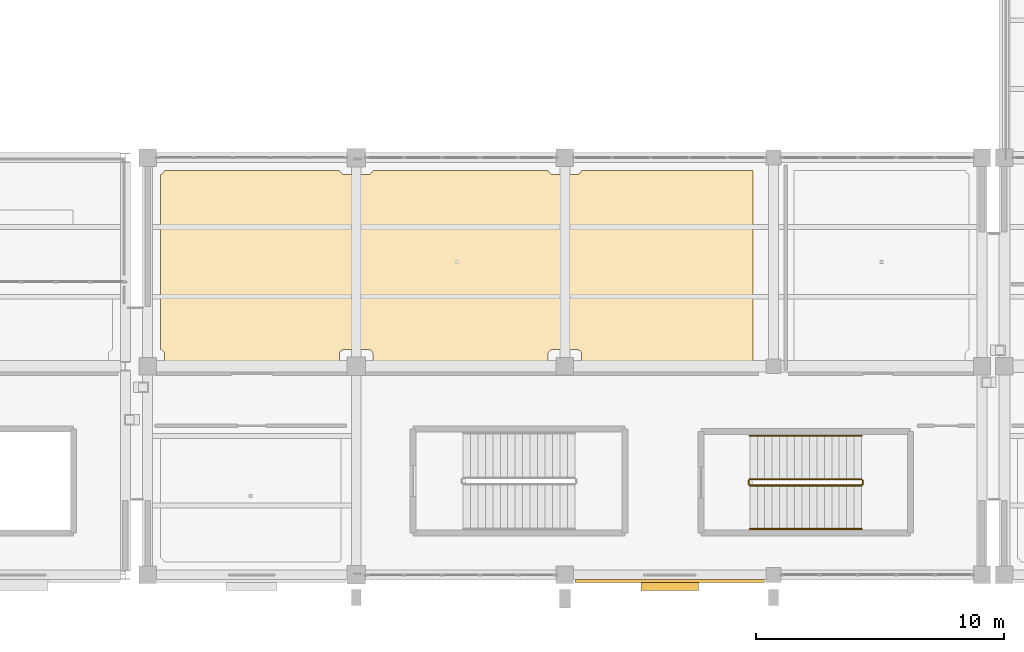
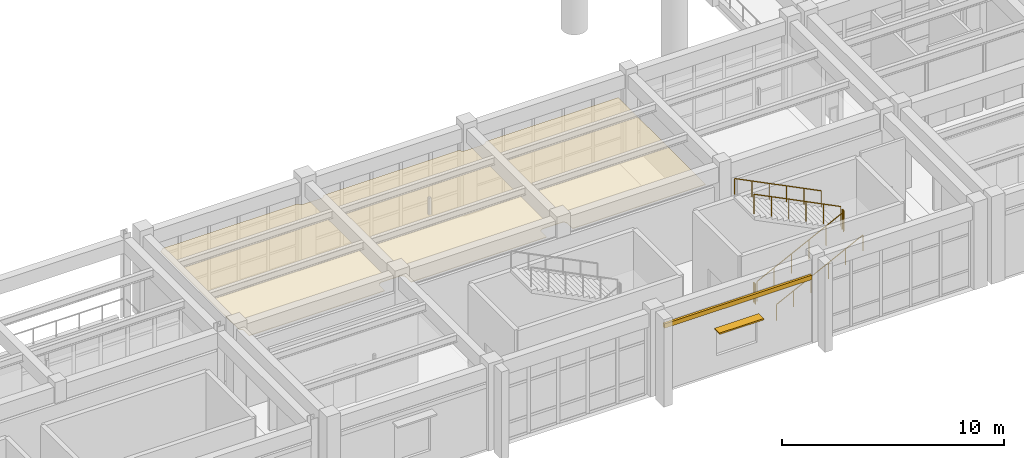
# One storey, part 88 of 98: 6 railings, 2 coverings, 1 shading device.
"""IFC4 building model written with IfcOpenShell, lengths in metres."""

from ifc_helpers import new_model, si_unit, direction, frame, origin, origin_2d, place, context, subcontext, project, spatial, polyline, rectangle, circle, outline, extrude, material, layer, layer_set, type_object, element, save


model = new_model("IFC4")

# Units and contexts
model_context = context("Model", 3, precision=1e-05, world=origin(), true_north=direction((0.0, 1.0)))
body_context = subcontext(model_context, "Body", "Model", "MODEL_VIEW")
ifc_project = project(units=[si_unit("LENGTHUNIT", "METRE"), si_unit("AREAUNIT", "SQUARE_METRE"), si_unit("VOLUMEUNIT", "CUBIC_METRE"), si_unit("PLANEANGLEUNIT", "RADIAN"), si_unit("MASSUNIT", "GRAM", prefix="KILO")], contexts=[model_context])

# Site, building, storey
site_placement = place(None, origin())
site = spatial("IfcSite", under=ifc_project, at=site_placement, CompositionType="ELEMENT")
building_placement = place(site_placement, origin())
building = spatial("IfcBuilding", under=site, at=building_placement, Name="Canglan Escarpment Cableway Terminal", CompositionType="ELEMENT")
storey_placement = place(building_placement, frame((0.0, 0.0, 9.60009765625)))
storey = spatial("IfcBuildingStorey", under=building, at=storey_placement, Name="L02", CompositionType="ELEMENT", Elevation=9.60009765625)

# Coverings
ifc_material_1 = material(Name="Moisture-resistant acoustic gypsum ceiling", Category="gypsum")
ifc_layer_1 = layer(ifc_material_1, 0.030029296875, Name="Moisture-resistant acoustic gypsum ceiling")
ifc_layer_set_1 = layer_set([ifc_layer_1], Name="Moisture-resistant acoustic gypsum ceiling")
covering_type_1 = type_object("IfcCoveringType", Name="COV-CEIL-GYPSUM-30", PredefinedType="CEILING", material=ifc_layer_set_1)
covering_1_placement = place(storey_placement, frame((0.0, 0.0, 3.56982421875)))
element("IfcCovering", 1, at=covering_1_placement, inside=storey, type_object=covering_type_1, Name="Mountain Ecology Lecture Hall suspended acoustic ceiling", PredefinedType="CEILING", context=body_context, shape_type="SweptSolid", body=[
    extrude(outline(polyline([(77.533203125, 17.067138671875), (77.531494140625, 17.06787109375), (77.52978515625, 17.06884765625), (77.5283203125, 17.06982421875), (77.52685546875, 17.071044921875), (77.525390625, 17.072265625), (77.524169921875, 17.07373046875), (77.523193359375, 17.0751953125), (77.522216796875, 17.076904296875), (77.521484375, 17.07861328125), (77.520751953125, 17.080322265625), (77.5205078125, 17.082275390625), (77.52001953125, 17.083984375), (77.52001953125, 17.0859375), (77.52001953125, 24.114013671875), (77.52001953125, 24.115966796875), (77.5205078125, 24.117919921875), (77.520751953125, 24.11962890625), (77.521484375, 24.121337890625), (77.522216796875, 24.123046875), (77.523193359375, 24.124755859375), (77.524169921875, 24.126220703125), (77.525390625, 24.127685546875), (77.52685546875, 24.12890625), (77.5283203125, 24.130126953125), (77.52978515625, 24.131103515625), (77.531494140625, 24.132080078125), (77.533203125, 24.1328125), (77.543701171875, 24.13671875), (77.544677734375, 24.136962890625), (77.563232421875, 24.145751953125), (77.564208984375, 24.146240234375), (77.581787109375, 24.15673828125), (77.58251953125, 24.157470703125), (77.59912109375, 24.169677734375), (77.599853515625, 24.17041015625), (77.615234375, 24.18408203125), (77.615966796875, 24.184814453125), (77.629638671875, 24.2001953125), (77.63037109375, 24.20068359375), (77.642578125, 24.21728515625), (77.643310546875, 24.21826171875), (77.65380859375, 24.23583984375), (77.654296875, 24.23681640625), (77.6630859375, 24.25537109375), (77.663330078125, 24.25634765625), (77.667236328125, 24.2666015625), (77.66796875, 24.2685546875), (77.668701171875, 24.270263671875), (77.669921875, 24.271728515625), (77.6708984375, 24.273193359375), (77.67236328125, 24.274658203125), (77.673583984375, 24.27587890625), (77.67529296875, 24.27685546875), (77.677001953125, 24.27783203125), (77.6787109375, 24.278564453125), (77.680419921875, 24.279296875), (77.68212890625, 24.279541015625), (77.68408203125, 24.27978515625), (77.68603515625, 24.280029296875), (84.714111328125, 24.280029296875), (84.7158203125, 24.27978515625), (84.7177734375, 24.279541015625), (84.719482421875, 24.279296875), (84.721435546875, 24.278564453125), (84.72314453125, 24.27783203125), (84.724609375, 24.27685546875), (84.726318359375, 24.27587890625), (84.727783203125, 24.274658203125), (84.72900390625, 24.273193359375), (84.730224609375, 24.271728515625), (84.731201171875, 24.270263671875), (84.732177734375, 24.2685546875), (84.73291015625, 24.2666015625), (84.736572265625, 24.25634765625), (84.737060546875, 24.25537109375), (84.745849609375, 24.23681640625), (84.74609375, 24.23583984375), (84.7568359375, 24.21826171875), (84.75732421875, 24.21728515625), (84.76953125, 24.20068359375), (84.770263671875, 24.2001953125), (84.7841796875, 24.184814453125), (84.784912109375, 24.18408203125), (84.800048828125, 24.17041015625), (84.80078125, 24.169677734375), (84.8173828125, 24.157470703125), (84.818115234375, 24.15673828125), (84.8359375, 24.146240234375), (84.836669921875, 24.145751953125), (84.85546875, 24.136962890625), (84.856201171875, 24.13671875), (84.875732421875, 24.129638671875), (84.876708984375, 24.12939453125), (84.896484375, 24.124267578125), (84.897705078125, 24.124267578125), (84.91796875, 24.12109375), (84.9189453125, 24.12109375), (84.939697265625, 24.1201171875), (84.940185546875, 24.1201171875), (85.85986328125, 24.1201171875), (85.860107421875, 24.1201171875), (85.881103515625, 24.12109375), (85.882080078125, 24.12109375), (85.90234375, 24.124267578125), (85.9033203125, 24.124267578125), (85.92333984375, 24.12939453125), (85.92431640625, 24.129638671875), (85.943603515625, 24.13671875), (85.944580078125, 24.136962890625), (85.96337890625, 24.145751953125), (85.964111328125, 24.146240234375), (85.981689453125, 24.15673828125), (85.982666015625, 24.157470703125), (85.999267578125, 24.169677734375), (86.0, 24.17041015625), (86.01513671875, 24.18408203125), (86.015869140625, 24.184814453125), (86.02978515625, 24.2001953125), (86.030517578125, 24.20068359375), (86.04248046875, 24.21728515625), (86.043212890625, 24.21826171875), (86.0537109375, 24.23583984375), (86.05419921875, 24.23681640625), (86.06298828125, 24.25537109375), (86.0634765625, 24.25634765625), (86.067138671875, 24.2666015625), (86.06787109375, 24.2685546875), (86.06884765625, 24.270263671875), (86.06982421875, 24.271728515625), (86.071044921875, 24.273193359375), (86.072265625, 24.274658203125), (86.07373046875, 24.27587890625), (86.0751953125, 24.27685546875), (86.076904296875, 24.27783203125), (86.07861328125, 24.278564453125), (86.080322265625, 24.279296875), (86.082275390625, 24.279541015625), (86.083984375, 24.27978515625), (86.0859375, 24.280029296875), (93.114013671875, 24.280029296875), (93.115966796875, 24.27978515625), (93.117919921875, 24.279541015625), (93.11962890625, 24.279296875), (93.121337890625, 24.278564453125), (93.123046875, 24.27783203125), (93.124755859375, 24.27685546875), (93.126220703125, 24.27587890625), (93.127685546875, 24.274658203125), (93.12890625, 24.273193359375), (93.130126953125, 24.271728515625), (93.131103515625, 24.270263671875), (93.132080078125, 24.2685546875), (93.1328125, 24.2666015625), (93.13671875, 24.25634765625), (93.136962890625, 24.25537109375), (93.145751953125, 24.23681640625), (93.146240234375, 24.23583984375), (93.15673828125, 24.21826171875), (93.157470703125, 24.21728515625), (93.169677734375, 24.20068359375), (93.17041015625, 24.2001953125), (93.18408203125, 24.184814453125), (93.184814453125, 24.18408203125), (93.2001953125, 24.17041015625), (93.20068359375, 24.169677734375), (93.21728515625, 24.157470703125), (93.21826171875, 24.15673828125), (93.23583984375, 24.146240234375), (93.23681640625, 24.145751953125), (93.25537109375, 24.136962890625), (93.25634765625, 24.13671875), (93.275634765625, 24.129638671875), (93.276611328125, 24.12939453125), (93.296630859375, 24.124267578125), (93.297607421875, 24.124267578125), (93.318115234375, 24.12109375), (93.31884765625, 24.12109375), (93.33984375, 24.1201171875), (93.340087890625, 24.1201171875), (94.259765625, 24.1201171875), (94.26025390625, 24.1201171875), (94.281005859375, 24.12109375), (94.281982421875, 24.12109375), (94.302490234375, 24.124267578125), (94.303466796875, 24.124267578125), (94.323486328125, 24.12939453125), (94.32421875, 24.129638671875), (94.34375, 24.13671875), (94.344482421875, 24.136962890625), (94.36328125, 24.145751953125), (94.364013671875, 24.146240234375), (94.3818359375, 24.15673828125), (94.382568359375, 24.157470703125), (94.399169921875, 24.169677734375), (94.39990234375, 24.17041015625), (94.415283203125, 24.18408203125), (94.416015625, 24.184814453125), (94.4296875, 24.2001953125), (94.430419921875, 24.20068359375), (94.442626953125, 24.21728515625), (94.443115234375, 24.21826171875), (94.453857421875, 24.23583984375), (94.4541015625, 24.23681640625), (94.462890625, 24.25537109375), (94.46337890625, 24.25634765625), (94.46728515625, 24.2666015625), (94.468017578125, 24.2685546875), (94.46875, 24.270263671875), (94.4697265625, 24.271728515625), (94.470947265625, 24.273193359375), (94.472412109375, 24.274658203125), (94.4736328125, 24.27587890625), (94.475341796875, 24.27685546875), (94.476806640625, 24.27783203125), (94.478515625, 24.278564453125), (94.48046875, 24.279296875), (94.482177734375, 24.279541015625), (94.484130859375, 24.27978515625), (94.486083984375, 24.280029296875), (101.360107421875, 24.280029296875), (101.362060546875, 24.27978515625), (101.364013671875, 24.279541015625), (101.36572265625, 24.279052734375), (101.36767578125, 24.278564453125), (101.369384765625, 24.277587890625), (101.37109375, 24.276611328125), (101.372802734375, 24.275390625), (101.3740234375, 24.274169921875), (101.37548828125, 24.272705078125), (101.376708984375, 24.27099609375), (101.377685546875, 24.269287109375), (101.37841796875, 24.267578125), (101.379150390625, 24.265869140625), (101.379638671875, 24.263916015625), (101.3798828125, 24.261962890625), (101.3798828125, 24.260009765625), (101.3798828125, 16.43994140625), (101.3798828125, 16.43798828125), (101.379638671875, 16.43603515625), (101.379150390625, 16.43408203125), (101.37841796875, 16.432373046875), (101.377685546875, 16.4306640625), (101.376708984375, 16.428955078125), (101.37548828125, 16.42724609375), (101.3740234375, 16.42578125), (101.372802734375, 16.424560546875), (101.37109375, 16.42333984375), (101.369384765625, 16.42236328125), (101.36767578125, 16.42138671875), (101.36572265625, 16.4208984375), (101.364013671875, 16.42041015625), (101.362060546875, 16.420166015625), (101.360107421875, 16.419921875), (94.5, 16.419921875), (94.498046875, 16.420166015625), (94.49609375, 16.42041015625), (94.494140625, 16.4208984375), (94.4921875, 16.42138671875), (94.490478515625, 16.42236328125), (94.489013671875, 16.42333984375), (94.4873046875, 16.424560546875), (94.48583984375, 16.42578125), (94.484619140625, 16.42724609375), (94.4833984375, 16.428955078125), (94.482421875, 16.4306640625), (94.4814453125, 16.432373046875), (94.48095703125, 16.43408203125), (94.48046875, 16.43603515625), (94.47998046875, 16.43798828125), (94.47998046875, 16.43994140625), (94.47998046875, 16.85986328125), (94.47998046875, 16.860107421875), (94.47900390625, 16.881103515625), (94.47900390625, 16.882080078125), (94.475830078125, 16.90234375), (94.4755859375, 16.9033203125), (94.470703125, 16.92333984375), (94.470458984375, 16.92431640625), (94.46337890625, 16.943603515625), (94.462890625, 16.944580078125), (94.4541015625, 16.96337890625), (94.453857421875, 16.964111328125), (94.443115234375, 16.981689453125), (94.442626953125, 16.982666015625), (94.430419921875, 16.999267578125), (94.4296875, 17.0), (94.416015625, 17.01513671875), (94.415283203125, 17.015869140625), (94.39990234375, 17.02978515625), (94.399169921875, 17.030517578125), (94.382568359375, 17.04248046875), (94.3818359375, 17.043212890625), (94.364013671875, 17.0537109375), (94.36328125, 17.05419921875), (94.344482421875, 17.06298828125), (94.34375, 17.0634765625), (94.32421875, 17.0703125), (94.323486328125, 17.070556640625), (94.303466796875, 17.07568359375), (94.302490234375, 17.07568359375), (94.281982421875, 17.078857421875), (94.281005859375, 17.0791015625), (94.26025390625, 17.080078125), (94.259765625, 17.080078125), (93.340087890625, 17.080078125), (93.33984375, 17.080078125), (93.31884765625, 17.0791015625), (93.318115234375, 17.078857421875), (93.297607421875, 17.07568359375), (93.296630859375, 17.07568359375), (93.276611328125, 17.070556640625), (93.275634765625, 17.0703125), (93.25634765625, 17.0634765625), (93.25537109375, 17.06298828125), (93.23681640625, 17.05419921875), (93.23583984375, 17.0537109375), (93.21826171875, 17.043212890625), (93.21728515625, 17.04248046875), (93.20068359375, 17.030517578125), (93.2001953125, 17.02978515625), (93.184814453125, 17.015869140625), (93.18408203125, 17.01513671875), (93.17041015625, 17.0), (93.169677734375, 16.999267578125), (93.157470703125, 16.982666015625), (93.15673828125, 16.981689453125), (93.146240234375, 16.964111328125), (93.145751953125, 16.96337890625), (93.136962890625, 16.944580078125), (93.13671875, 16.943603515625), (93.129638671875, 16.92431640625), (93.12939453125, 16.92333984375), (93.124267578125, 16.9033203125), (93.124267578125, 16.90234375), (93.12109375, 16.882080078125), (93.12109375, 16.881103515625), (93.1201171875, 16.860107421875), (93.1201171875, 16.85986328125), (93.1201171875, 16.43994140625), (93.119873046875, 16.43798828125), (93.11962890625, 16.43603515625), (93.119140625, 16.43408203125), (93.118408203125, 16.432373046875), (93.11767578125, 16.4306640625), (93.11669921875, 16.428955078125), (93.115478515625, 16.42724609375), (93.114013671875, 16.42578125), (93.11279296875, 16.424560546875), (93.111083984375, 16.42333984375), (93.109375, 16.42236328125), (93.107666015625, 16.42138671875), (93.105712890625, 16.4208984375), (93.10400390625, 16.42041015625), (93.10205078125, 16.420166015625), (93.10009765625, 16.419921875), (86.10009765625, 16.419921875), (86.097900390625, 16.420166015625), (86.09619140625, 16.42041015625), (86.09423828125, 16.4208984375), (86.09228515625, 16.42138671875), (86.090576171875, 16.42236328125), (86.0888671875, 16.42333984375), (86.08740234375, 16.424560546875), (86.0859375, 16.42578125), (86.08447265625, 16.42724609375), (86.08349609375, 16.428955078125), (86.08251953125, 16.4306640625), (86.08154296875, 16.432373046875), (86.080810546875, 16.43408203125), (86.080322265625, 16.43603515625), (86.080078125, 16.43798828125), (86.080078125, 16.43994140625), (86.080078125, 16.85986328125), (86.080078125, 16.860107421875), (86.0791015625, 16.881103515625), (86.078857421875, 16.882080078125), (86.07568359375, 16.90234375), (86.07568359375, 16.9033203125), (86.070556640625, 16.92333984375), (86.0703125, 16.92431640625), (86.0634765625, 16.943603515625), (86.06298828125, 16.944580078125), (86.05419921875, 16.96337890625), (86.0537109375, 16.964111328125), (86.043212890625, 16.981689453125), (86.04248046875, 16.982666015625), (86.030517578125, 16.999267578125), (86.02978515625, 17.0), (86.015869140625, 17.01513671875), (86.01513671875, 17.015869140625), (86.0, 17.02978515625), (85.999267578125, 17.030517578125), (85.982666015625, 17.04248046875), (85.981689453125, 17.043212890625), (85.964111328125, 17.0537109375), (85.96337890625, 17.05419921875), (85.944580078125, 17.06298828125), (85.943603515625, 17.0634765625), (85.92431640625, 17.0703125), (85.92333984375, 17.070556640625), (85.9033203125, 17.07568359375), (85.90234375, 17.07568359375), (85.882080078125, 17.078857421875), (85.881103515625, 17.0791015625), (85.860107421875, 17.080078125), (85.85986328125, 17.080078125), (84.940185546875, 17.080078125), (84.939697265625, 17.080078125), (84.9189453125, 17.0791015625), (84.91796875, 17.078857421875), (84.897705078125, 17.07568359375), (84.896484375, 17.07568359375), (84.876708984375, 17.070556640625), (84.875732421875, 17.0703125), (84.856201171875, 17.0634765625), (84.85546875, 17.06298828125), (84.836669921875, 17.05419921875), (84.8359375, 17.0537109375), (84.818115234375, 17.043212890625), (84.8173828125, 17.04248046875), (84.80078125, 17.030517578125), (84.800048828125, 17.02978515625), (84.784912109375, 17.015869140625), (84.7841796875, 17.01513671875), (84.770263671875, 17.0), (84.76953125, 16.999267578125), (84.75732421875, 16.982666015625), (84.7568359375, 16.981689453125), (84.74609375, 16.964111328125), (84.745849609375, 16.96337890625), (84.737060546875, 16.944580078125), (84.736572265625, 16.943603515625), (84.7294921875, 16.92431640625), (84.7294921875, 16.92333984375), (84.724365234375, 16.9033203125), (84.72412109375, 16.90234375), (84.72119140625, 16.882080078125), (84.720947265625, 16.881103515625), (84.719970703125, 16.860107421875), (84.719970703125, 16.85986328125), (84.719970703125, 16.43994140625), (84.719970703125, 16.43798828125), (84.719482421875, 16.43603515625), (84.718994140625, 16.43408203125), (84.718505859375, 16.432373046875), (84.717529296875, 16.4306640625), (84.716552734375, 16.428955078125), (84.715576171875, 16.42724609375), (84.714111328125, 16.42578125), (84.712646484375, 16.424560546875), (84.711181640625, 16.42333984375), (84.70947265625, 16.42236328125), (84.707763671875, 16.42138671875), (84.705810546875, 16.4208984375), (84.703857421875, 16.42041015625), (84.701904296875, 16.420166015625), (84.699951171875, 16.419921875), (77.699951171875, 16.419921875), (77.697998046875, 16.420166015625), (77.696044921875, 16.42041015625), (77.694091796875, 16.4208984375), (77.6923828125, 16.42138671875), (77.690673828125, 16.42236328125), (77.68896484375, 16.42333984375), (77.687255859375, 16.424560546875), (77.685791015625, 16.42578125), (77.6845703125, 16.42724609375), (77.683349609375, 16.428955078125), (77.682373046875, 16.4306640625), (77.681396484375, 16.432373046875), (77.680908203125, 16.43408203125), (77.680419921875, 16.43603515625), (77.68017578125, 16.43798828125), (77.679931640625, 16.43994140625), (77.679931640625, 16.85986328125), (77.679931640625, 16.860107421875), (77.678955078125, 16.881103515625), (77.678955078125, 16.882080078125), (77.67578125, 16.90234375), (77.67578125, 16.9033203125), (77.670654296875, 16.92333984375), (77.67041015625, 16.92431640625), (77.663330078125, 16.943603515625), (77.6630859375, 16.944580078125), (77.654296875, 16.96337890625), (77.65380859375, 16.964111328125), (77.643310546875, 16.981689453125), (77.642578125, 16.982666015625), (77.63037109375, 16.999267578125), (77.629638671875, 17.0), (77.615966796875, 17.01513671875), (77.615234375, 17.015869140625), (77.599853515625, 17.02978515625), (77.59912109375, 17.030517578125), (77.58251953125, 17.04248046875), (77.581787109375, 17.043212890625), (77.564208984375, 17.0537109375), (77.563232421875, 17.05419921875), (77.544677734375, 17.06298828125), (77.543701171875, 17.0634765625), (77.533203125, 17.067138671875)])), origin(), (0.0, 0.0, 1.0), 0.030029296875),
])
ifc_material_2 = material(Name="Carved classical limestone cornice", Category="masonry")
ifc_layer_2 = layer(ifc_material_2, 0.1201171875, Name="Carved classical limestone cornice")
ifc_layer_set_2 = layer_set([ifc_layer_2], Name="Carved classical limestone cornice")
covering_type_2 = type_object("IfcCoveringType", Name="COV-CORNICE-STONE", PredefinedType="CLADDING", material=ifc_layer_set_2)
covering_2_placement = place(storey_placement, frame((98.02490234375, 7.760009765625, 3.4951171875), z_axis=(0.0, 0.0, 1.0), x_axis=(1.0, 0.0, 0.0)))
element("IfcCovering", 2, at=covering_2_placement, inside=storey, type_object=covering_type_2, Name="Classical carved limestone cornice CL-01", PredefinedType="CLADDING", context=body_context, shape_type="SweptSolid", body=[
    extrude(rectangle(XDim=7.64990234375, YDim=0.1201171875, at=origin_2d()), origin(), (0.0, 0.0, 1.0), 0.239990234375),
])

# Railings
ifc_material_3 = material(Name="Powder-coated steel stair balustrade", Category="steel")
railing_type_1 = type_object("IfcRailingType", Name="RL-STR-GUARD-1100", PredefinedType="BALUSTRADE", material=ifc_material_3)
railing_1_placement = place(storey_placement, frame((101.25, 11.60009765625, 0.14990234375)))
element("IfcRailing", 3, at=railing_1_placement, inside=storey, type_object=railing_type_1, Name="L02 ST-14 stair guard 1", PredefinedType="BALUSTRADE", context=body_context, shape_type="SweptSolid", body=[
    extrude(circle(Radius=0.02392578125, at=origin_2d()), frame((0.0, 0.0, 1.076171875), z_axis=(0.894427191, 0.0, 0.4472135955), x_axis=(0.0, 1.0, 0.0)), (0.0, 0.0, 1.0), 5.03125),
    extrude(circle(Radius=0.02099609375, at=origin_2d()), origin(), (0.0, 0.0, 1.0), 1.052001953125),
    extrude(circle(Radius=0.02099609375, at=origin_2d()), frame((0.89990234375, 0.0, 0.449951171875)), (0.0, 0.0, 1.0), 1.052001953125),
    extrude(circle(Radius=0.02099609375, at=origin_2d()), frame((1.800048828125, 0.0, 0.89990234375)), (0.0, 0.0, 1.0), 1.052001953125),
    extrude(circle(Radius=0.02099609375, at=origin_2d()), frame((2.699951171875, 0.0, 1.35009765625)), (0.0, 0.0, 1.0), 1.052001953125),
    extrude(circle(Radius=0.02099609375, at=origin_2d()), frame((3.60009765625, 0.0, 1.800048828125)), (0.0, 0.0, 1.0), 1.052001953125),
    extrude(circle(Radius=0.02099609375, at=origin_2d()), frame((4.5, 0.0, 2.25)), (0.0, 0.0, 1.0), 1.052001953125),
])
railing_2_placement = place(storey_placement, frame((105.800048828125, 11.64990234375, 2.39990234375)))
element("IfcRailing", 4, at=railing_2_placement, inside=storey, type_object=railing_type_1, Name="L02 ST-14 stair guard 2", PredefinedType="BALUSTRADE", context=body_context, shape_type="SweptSolid", body=[
    extrude(circle(Radius=0.02392578125, at=origin_2d()), frame((0.0, 0.0, 1.076171875), z_axis=(0.0, 1.0, 0.0), x_axis=(-1.0, 0.0, 0.0)), (0.0, 0.0, 1.0), 0.150146484375),
    extrude(circle(Radius=0.02099609375, at=origin_2d()), origin(), (0.0, 0.0, 1.0), 1.052001953125),
    extrude(circle(Radius=0.02099609375, at=origin_2d()), frame((0.0, 0.150146484375, 0.0)), (0.0, 0.0, 1.0), 1.052001953125),
])
railing_3_placement = place(storey_placement, frame((105.75, 11.85009765625, 2.5498046875)))
element("IfcRailing", 5, at=railing_3_placement, inside=storey, type_object=railing_type_1, Name="L02 ST-14 stair guard 3", PredefinedType="BALUSTRADE", context=body_context, shape_type="SweptSolid", body=[
    extrude(circle(Radius=0.02392578125, at=origin_2d()), frame((0.0, 0.0, 1.076171875), z_axis=(-0.894427191, 0.0, 0.4472135955), x_axis=(0.0, -1.0, 0.0)), (0.0, 0.0, 1.0), 5.03125),
    extrude(circle(Radius=0.02099609375, at=origin_2d()), origin(), (0.0, 0.0, 1.0), 1.052001953125),
    extrude(circle(Radius=0.02099609375, at=origin_2d()), frame((-0.89990234375, 0.0, 0.449951171875)), (0.0, 0.0, 1.0), 1.052001953125),
    extrude(circle(Radius=0.02099609375, at=origin_2d()), frame((-1.800048828125, 0.0, 0.89990234375)), (0.0, 0.0, 1.0), 1.052001953125),
    extrude(circle(Radius=0.02099609375, at=origin_2d()), frame((-2.699951171875, 0.0, 1.35009765625)), (0.0, 0.0, 1.0), 1.052001953125),
    extrude(circle(Radius=0.02099609375, at=origin_2d()), frame((-3.60009765625, 0.0, 1.800048828125)), (0.0, 0.0, 1.0), 1.052001953125),
    extrude(circle(Radius=0.02099609375, at=origin_2d()), frame((-4.5, 0.0, 2.25)), (0.0, 0.0, 1.0), 1.052001953125),
])
railing_4_placement = place(storey_placement, frame((101.199951171875, 11.64990234375, 0.0)))
element("IfcRailing", 6, at=railing_4_placement, inside=storey, type_object=railing_type_1, Name="L02 ST-14 stair guard 4", PredefinedType="BALUSTRADE", context=body_context, shape_type="SweptSolid", body=[
    extrude(circle(Radius=0.02392578125, at=origin_2d()), frame((0.0, 0.0, 1.076171875), z_axis=(0.0, 1.0, 0.0), x_axis=(-1.0, 0.0, 0.0)), (0.0, 0.0, 1.0), 0.150146484375),
    extrude(circle(Radius=0.02099609375, at=origin_2d()), origin(), (0.0, 0.0, 1.0), 1.052001953125),
    extrude(circle(Radius=0.02099609375, at=origin_2d()), frame((0.0, 0.150146484375, 0.0)), (0.0, 0.0, 1.0), 1.052001953125),
])
ifc_material_4 = material(Name="Brushed stainless steel 304 handrail", Category="steel")
railing_type_2 = type_object("IfcRailingType", Name="RL-STR-HR-900", PredefinedType="HANDRAIL", material=ifc_material_4)
railing_5_placement = place(storey_placement, frame((101.25, 9.85009765625, 0.14990234375)))
element("IfcRailing", 7, at=railing_5_placement, inside=storey, type_object=railing_type_2, Name="L02 ST-14 stair handrail 1", PredefinedType="HANDRAIL", context=body_context, shape_type="SweptSolid", body=[
    extrude(circle(Radius=0.02392578125, at=origin_2d()), frame((0.0, 0.0, 0.8759765625), z_axis=(0.894427191, 0.0, 0.4472135955), x_axis=(0.0, 1.0, 0.0)), (0.0, 0.0, 1.0), 5.03125),
    extrude(circle(Radius=0.02099609375, at=origin_2d()), origin(), (0.0, 0.0, 1.0), 0.851806640625),
    extrude(circle(Radius=0.02099609375, at=origin_2d()), frame((0.89990234375, 0.0, 0.449951171875)), (0.0, 0.0, 1.0), 0.851806640625),
    extrude(circle(Radius=0.02099609375, at=origin_2d()), frame((1.800048828125, 0.0, 0.89990234375)), (0.0, 0.0, 1.0), 0.851806640625),
    extrude(circle(Radius=0.02099609375, at=origin_2d()), frame((2.699951171875, 0.0, 1.35009765625)), (0.0, 0.0, 1.0), 0.851806640625),
    extrude(circle(Radius=0.02099609375, at=origin_2d()), frame((3.60009765625, 0.0, 1.800048828125)), (0.0, 0.0, 1.0), 0.851806640625),
    extrude(circle(Radius=0.02099609375, at=origin_2d()), frame((4.5, 0.0, 2.25)), (0.0, 0.0, 1.0), 0.851806640625),
])
railing_6_placement = place(storey_placement, frame((105.75, 13.60009765625, 2.5498046875)))
element("IfcRailing", 8, at=railing_6_placement, inside=storey, type_object=railing_type_2, Name="L02 ST-14 stair handrail 2", PredefinedType="HANDRAIL", context=body_context, shape_type="SweptSolid", body=[
    extrude(circle(Radius=0.02392578125, at=origin_2d()), frame((0.0, 0.0, 0.8759765625), z_axis=(-0.894427191, 0.0, 0.4472135955), x_axis=(0.0, -1.0, 0.0)), (0.0, 0.0, 1.0), 5.03125),
    extrude(circle(Radius=0.02099609375, at=origin_2d()), origin(), (0.0, 0.0, 1.0), 0.851806640625),
    extrude(circle(Radius=0.02099609375, at=origin_2d()), frame((-0.89990234375, 0.0, 0.449951171875)), (0.0, 0.0, 1.0), 0.851806640625),
    extrude(circle(Radius=0.02099609375, at=origin_2d()), frame((-1.800048828125, 0.0, 0.89990234375)), (0.0, 0.0, 1.0), 0.851806640625),
    extrude(circle(Radius=0.02099609375, at=origin_2d()), frame((-2.699951171875, 0.0, 1.35009765625)), (0.0, 0.0, 1.0), 0.851806640625),
    extrude(circle(Radius=0.02099609375, at=origin_2d()), frame((-3.60009765625, 0.0, 1.800048828125)), (0.0, 0.0, 1.0), 0.851806640625),
    extrude(circle(Radius=0.02099609375, at=origin_2d()), frame((-4.5, 0.0, 2.25)), (0.0, 0.0, 1.0), 0.851806640625),
])

# Shading device
ifc_material_5 = material(Name="Anodized architectural bronze aluminium", Category="aluminium")
ifc_layer_3 = layer(ifc_material_5, 0.080078125, Name="Anodized architectural bronze aluminium")
ifc_layer_set_3 = layer_set([ifc_layer_3], Name="Anodized architectural bronze aluminium")
shading_device_type = type_object("IfcShadingDeviceType", Name="SHD-BRONZE-LOUVRE-01", PredefinedType="JALOUSIE", material=ifc_layer_set_3)
shading_device_placement = place(storey_placement, frame((98.02490234375, 7.594970703125, 2.419921875), z_axis=(0.0, 0.0, 1.0), x_axis=(1.0, 0.0, 0.0)))
element("IfcShadingDevice", 9, at=shading_device_placement, inside=storey, type_object=shading_device_type, Name="Anodized bronze sun-shading brise-soleil SD-01", PredefinedType="JALOUSIE", context=body_context, shape_type="SweptSolid", body=[
    extrude(rectangle(XDim=2.300048828125, YDim=0.449951171875, at=origin_2d()), origin(), (0.0, 0.0, 1.0), 0.080078125),
])

save(model, "model.ifc")
